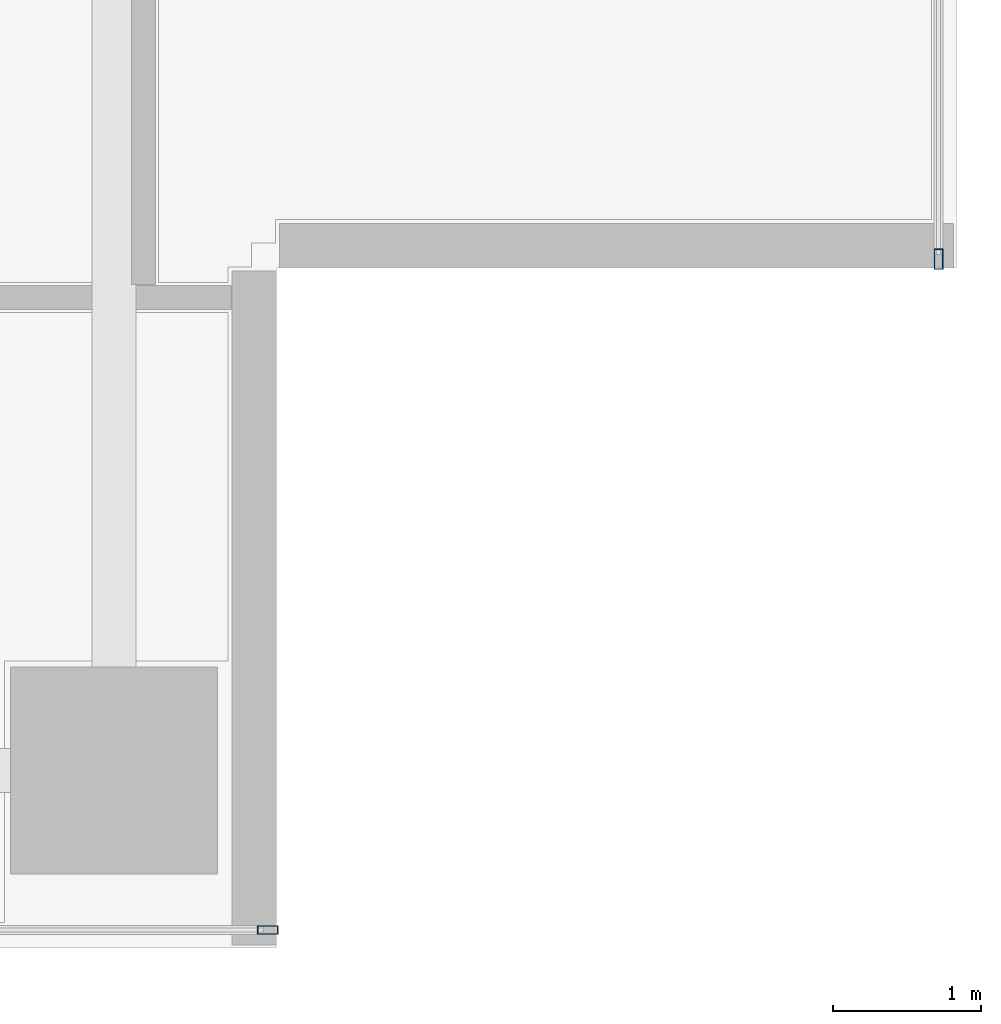
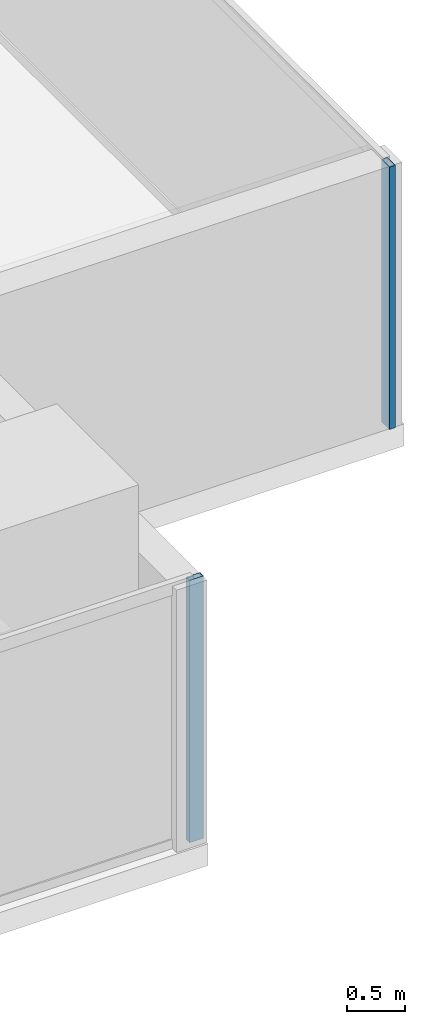
# One storey, part 11 of 26: 2 members, 2 elements without a shape of their own.
"""IFC4 building model written with IfcOpenShell, lengths in metres."""

from ifc_helpers import new_model, si_unit, direction, frame, origin, origin_2d, place, context, subcontext, project, spatial, hollow_rectangle, extrude, source, transform, mapped, material, layer, layer_set, material_profile, profile_set, type_object, element, aggregate, save


model = new_model("IFC4")

# Units and contexts
model_context = context("Model", 3, precision=1e-05, world=origin(), true_north=direction((0.0, 1.0)))
body_context = subcontext(model_context, "Body", "Model", "MODEL_VIEW")
ifc_project = project(units=[si_unit("LENGTHUNIT", "METRE"), si_unit("AREAUNIT", "SQUARE_METRE"), si_unit("VOLUMEUNIT", "CUBIC_METRE"), si_unit("PLANEANGLEUNIT", "RADIAN"), si_unit("MASSUNIT", "GRAM", prefix="KILO")], contexts=[model_context])

# Site, building, storey
site_placement = place(None, origin())
site = spatial("IfcSite", under=ifc_project, at=site_placement, CompositionType="ELEMENT")
building_placement = place(site_placement, origin())
building = spatial("IfcBuilding", under=site, at=building_placement, Name="Sumidabori Civic Tower", CompositionType="ELEMENT")
storey_placement = place(building_placement, frame((0.0, 0.0, 254.0)))
storey = spatial("IfcBuildingStorey", under=building, at=storey_placement, Name="L66", CompositionType="ELEMENT", Elevation=254.0)

# Curtain wall, member
ifc_material = material(Name="Anodised Bronze Aluminium AW-6063-T6", Category="aluminium")
ifc_layer = layer(ifc_material, 0.179931640625, Name="Anodised Bronze Aluminium AW-6063-T6")
ifc_layer_set = layer_set([ifc_layer], Name="Anodised Bronze Aluminium AW-6063-T6")
curtain_wall_type = type_object("IfcCurtainWallType", Name="CW-SYS-5", PredefinedType="NOTDEFINED", material=ifc_layer_set)
curtain_wall_1_placement = place(storey_placement, origin())
curtain_wall_1 = element("IfcCurtainWall", 1, at=curtain_wall_1_placement, inside=storey, type_object=curtain_wall_type, Name="Curtain Wall CW:L66:R01", PredefinedType="NOTDEFINED")
ifc_material_profile = material_profile(ifc_material, hollow_rectangle(XDim=0.06005859375, YDim=0.139892578125, WallThickness=0.0048828125, at=origin_2d()), Name="ALU MULLION 140x60")
ifc_profile_set = profile_set([ifc_material_profile], Name="Anodised Bronze Aluminium AW-6063-T6")
member_type = type_object("IfcMemberType", Name="CW-MUL-140", PredefinedType="MULLION", material=ifc_profile_set)
shared_shape = source(origin(), body_context, "Body", "SweptSolid", [
    extrude(hollow_rectangle(XDim=0.06005859375, YDim=0.139892578125, WallThickness=0.0048828125, at=origin_2d()), origin(), (0.0, 0.0, 1.0), 2.75),
])
member_1_placement = place(storey_placement, frame((17.840087890625, -11.8798828125, 0.0), z_axis=(0.0, 0.0, 1.0), x_axis=(0.0, 1.0, 0.0)))
member_1 = element("IfcMember", 2, at=member_1_placement, type_object=member_type, Name="CW-5 mullion 5", PredefinedType="MULLION", context=body_context, shape_type="MappedRepresentation", body=[
    mapped(shared_shape, transform((0.0, 0.0, 0.0), x_axis=(1.0, 0.0, 0.0), y_axis=(0.0, 1.0, 0.0), z_axis=(0.0, 0.0, 1.0), scale=1.0)),
])
aggregate(curtain_wall_1, [member_1])

curtain_wall_2_placement = place(storey_placement, origin())
curtain_wall_2 = element("IfcCurtainWall", 3, at=curtain_wall_2_placement, inside=storey, type_object=curtain_wall_type, Name="Curtain Wall CW:L66:R04", PredefinedType="NOTDEFINED")
member_2_placement = place(storey_placement, frame((22.3798828125, -7.340087890625, 0.0), z_axis=(0.0, 0.0, 1.0), x_axis=(-1.0, 0.0, 0.0)))
member_2 = element("IfcMember", 4, at=member_2_placement, type_object=member_type, Name="CW-5 mullion 1", PredefinedType="MULLION", context=body_context, shape_type="MappedRepresentation", body=[
    mapped(shared_shape, transform((0.0, 0.0, 0.0), x_axis=(1.0, 0.0, 0.0), y_axis=(0.0, 1.0, 0.0), z_axis=(0.0, 0.0, 1.0), scale=1.0)),
])
aggregate(curtain_wall_2, [member_2])

save(model, "model.ifc")
